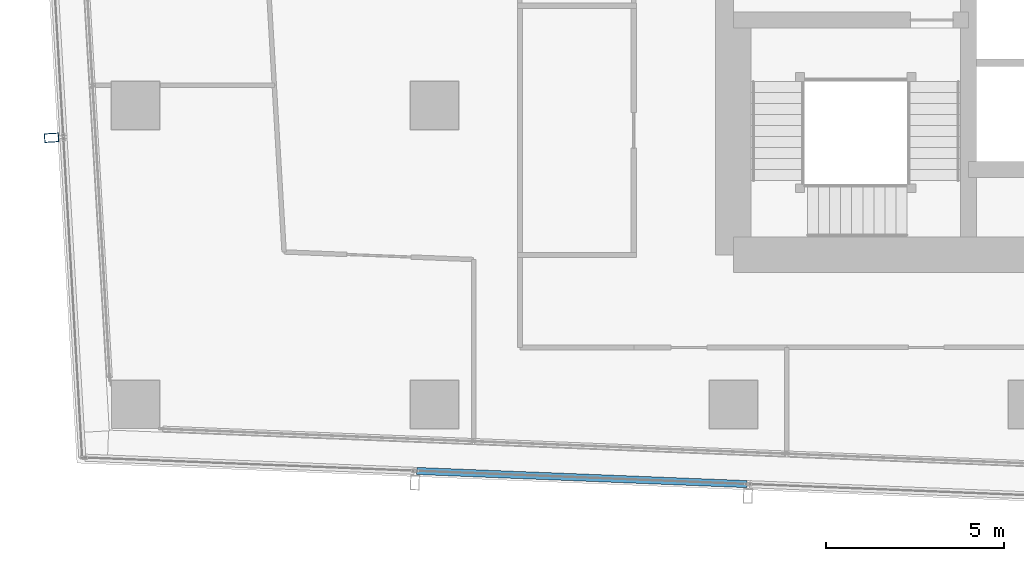
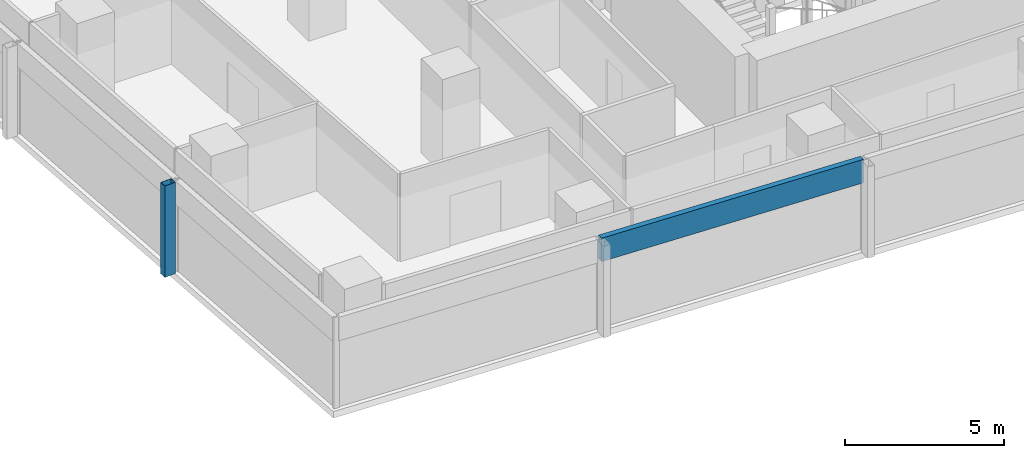
# One storey, part 4 of 38: 2 members, 2 elements without a shape of their own.
"""IFC4 building model written with IfcOpenShell, lengths in metres."""

import ifcopenshell
import ifcopenshell.guid

model = None  # the IFC model being written
_history = None  # IfcOwnerHistory: only IFC2X3 demands one
_inside = {}  # id of a spatial element -> (the spatial element, [elements in it])
_under = {}  # id of a project, library or spatial element -> (it, [spatial elements below it])
_declared = {}  # id of a project -> (the project, [libraries it declares])
_typed = {}  # id of a type object -> (the type object, [elements of that type])
_made_of = {}  # id of a material, layer set ... -> (it, [elements and type objects made of it])


def new_model(schema):
    """Start an empty IFC model of exactly this schema.

    Asked for "IFC4X3", IfcOpenShell would pick the latest addendum, in which some entities
    have other attributes; the version numbers below select the first issue.
    IFC2X3 requires an IfcOwnerHistory on every rooted entity: one is made here for all.
    """
    global model, _history
    if schema == "IFC4X3":
        model = ifcopenshell.file(schema_version=(4, 3, 0, 0))
    else:
        model = ifcopenshell.file(schema=schema)
    _inside.clear()
    _under.clear()
    _declared.clear()
    _typed.clear()
    _made_of.clear()
    _history = None
    if model.schema == "IFC2X3":
        org = make("IfcOrganization", Name="unknown")
        user = make(
            "IfcPersonAndOrganization",
            ThePerson=make("IfcPerson", FamilyName="unknown"),
            TheOrganization=org,
        )
        app = make(
            "IfcApplication",
            ApplicationDeveloper=org,
            Version="unknown",
            ApplicationFullName="unknown",
            ApplicationIdentifier="unknown",
        )
        _history = make(
            "IfcOwnerHistory",
            OwningUser=user,
            OwningApplication=app,
            ChangeAction="ADDED",
            CreationDate=0,
        )
    return model


def make(cls, **values):
    """One entity of the class cls with the attributes given. An attribute that is None is left unset."""
    return model.create_entity(
        cls, **{name: value for name, value in values.items() if value is not None}
    )


def rooted(cls, **values):
    """An entity with a GlobalId (a new one), such as an element, a storey or a relation."""
    return make(cls, GlobalId=ifcopenshell.guid.new(), OwnerHistory=_history, **values)


def si_unit(unit_type, name, prefix=None):
    """IfcSIUnit, for example si_unit("LENGTHUNIT", "METRE", prefix="MILLI")."""
    return make("IfcSIUnit", UnitType=unit_type, Prefix=prefix, Name=name)


def assignment(units):
    """IfcUnitAssignment: the units of a project."""
    return None if units is None else make("IfcUnitAssignment", Units=units)


def point(xyz):
    """IfcCartesianPoint."""
    return None if xyz is None else make("IfcCartesianPoint", Coordinates=xyz)


def direction(xyz):
    """IfcDirection."""
    return None if xyz is None else make("IfcDirection", DirectionRatios=xyz)


def frame(location, z_axis=None, x_axis=None):
    """IfcAxis2Placement3D, a coordinate frame: its origin and axes. An axis left out is left unset."""
    return make(
        "IfcAxis2Placement3D",
        Location=point(location),
        Axis=direction(z_axis),
        RefDirection=direction(x_axis),
    )


def frame_2d(location, x_axis=None):
    """IfcAxis2Placement2D, a coordinate frame in the plane: its origin and x axis."""
    return make(
        "IfcAxis2Placement2D", Location=point(location), RefDirection=direction(x_axis)
    )


def origin():
    """The frame at (0, 0, 0) with its axes left unset."""
    return frame((0.0, 0.0, 0.0))


def origin_2d():
    """The frame at (0, 0) in the plane with its x axis left unset."""
    return frame_2d((0.0, 0.0))


def place(relative_to, where):
    """IfcLocalPlacement: puts the frame where relative to a parent placement (None: the world)."""
    return make(
        "IfcLocalPlacement", PlacementRelTo=relative_to, RelativePlacement=where
    )


def context(
    kind, dimensions, precision=None, world=None, true_north=None, identifier=None
):
    """IfcGeometricRepresentationContext, for example the 3D "Model" context."""
    return make(
        "IfcGeometricRepresentationContext",
        ContextIdentifier=identifier,
        ContextType=kind,
        CoordinateSpaceDimension=dimensions,
        Precision=precision,
        WorldCoordinateSystem=world,
        TrueNorth=true_north,
    )


def subcontext(parent, identifier, kind, view, scale=None):
    """IfcGeometricRepresentationSubContext, for example "Body" below "Model"."""
    return make(
        "IfcGeometricRepresentationSubContext",
        ContextIdentifier=identifier,
        ContextType=kind,
        ParentContext=parent,
        TargetScale=scale,
        TargetView=view,
    )


def project(units=None, contexts=None):
    """IfcProject with its units and contexts."""
    return rooted(
        "IfcProject",
        Name="project",
        RepresentationContexts=contexts,
        UnitsInContext=assignment(units),
    )


def spatial(cls, under=None, at=None, **own):
    """A site, building, storey or space (cls), placed at a placement, below another one or the project."""
    s = rooted(cls, ObjectPlacement=at, **own)
    if under is not None:
        _under.setdefault(under.id(), (under, []))[1].append(s)
    return s


def profile(cls, at=None, kind="AREA", **sizes):
    """A parametric profile (cls). Its sizes go by their IFC names, for example OverallWidth=200.0."""
    return make(cls, ProfileType=kind, Position=at, **sizes)


def hollow_rectangle(**sizes):
    """IfcRectangleHollowProfileDef."""
    return profile("IfcRectangleHollowProfileDef", **sizes)


def extrude(swept, where, along, depth):
    """IfcExtrudedAreaSolid: the profile swept, set in the frame where, extruded along a direction by depth."""
    return make(
        "IfcExtrudedAreaSolid",
        SweptArea=swept,
        Position=where,
        ExtrudedDirection=direction(along),
        Depth=depth,
    )


def shape(context_of_items, identifier, shape_type, items):
    """IfcShapeRepresentation: the items that make up one representation, for example the "Body"."""
    return make(
        "IfcShapeRepresentation",
        ContextOfItems=context_of_items,
        RepresentationIdentifier=identifier,
        RepresentationType=shape_type,
        Items=items,
    )


def material(Name=None, Category=None):
    """IfcMaterial."""
    return make("IfcMaterial", Name=Name, Category=Category)


def material_profile(
    of_material, cross_section, Name=None, Category=None, Priority=None
):
    """IfcMaterialProfile: a cross section and its material."""
    return make(
        "IfcMaterialProfile",
        Name=Name,
        Material=of_material,
        Profile=cross_section,
        Priority=Priority,
        Category=Category,
    )


def profile_set(profiles, Name=None, composite=None):
    """IfcMaterialProfileSet."""
    return make(
        "IfcMaterialProfileSet",
        Name=Name,
        MaterialProfiles=profiles,
        CompositeProfile=composite,
    )


def made_of(thing, what):
    """Note that an element or type object is made of a material, layer set ...; save() writes the relation."""
    if what is not None:
        _made_of.setdefault(what.id(), (what, []))[1].append(thing)
    return thing


def type_object(cls, material=None, **own):
    """A type object (cls), such as IfcWallType, which elements share."""
    return made_of(rooted(cls, **own), material)


def element(
    cls,
    number,
    at=None,
    inside=None,
    cuts=None,
    type_object=None,
    material=None,
    context=None,
    identifier="Body",
    shape_type=None,
    held_by="IfcProductDefinitionShape",
    body=None,
    shapes=None,
    **own,
):
    """One element of the class cls, such as IfcWall. Its Tag is "e" and its number.

    at: its placement. inside: the storey or other place that contains it. cuts: it is an
    opening in that element (IfcRelVoidsElement). A single representation is given by context,
    identifier, shape_type and body (its items); several are given by shapes. held_by: the class
    of the entity that holds the representations. save() writes the other relations.
    """
    e = rooted(cls, Tag="e%d" % number, ObjectPlacement=at, **own)
    if body is not None:
        shapes = [shape(context, identifier, shape_type, body)]
    if shapes is not None:
        e.Representation = make(held_by, Representations=shapes)
    if inside is not None:
        _inside.setdefault(inside.id(), (inside, []))[1].append(e)
    if cuts is not None:
        rooted(
            "IfcRelVoidsElement", RelatingBuildingElement=cuts, RelatedOpeningElement=e
        )
    if type_object is not None:
        _typed.setdefault(type_object.id(), (type_object, []))[1].append(e)
    return made_of(e, material)


def aggregate(whole, parts):
    """IfcRelAggregates: a whole, such as a stair, and the parts it consists of."""
    return rooted("IfcRelAggregates", RelatingObject=whole, RelatedObjects=parts)


def save(model, path):
    """Write the relations noted so far, then the file.

    IfcRelAggregates (storeys below a building ...), IfcRelContainedInSpatialStructure (elements
    in a storey), IfcRelDefinesByType, IfcRelAssociatesMaterial and IfcRelDeclares: one each for
    every whole, place, type object, material and project.
    """
    for whole, parts in _under.values():
        aggregate(whole, parts)
    for where, things in _inside.values():
        rooted(
            "IfcRelContainedInSpatialStructure",
            RelatedElements=things,
            RelatingStructure=where,
        )
    for kind, things in _typed.values():
        rooted("IfcRelDefinesByType", RelatedObjects=things, RelatingType=kind)
    for what, things in _made_of.values():
        rooted("IfcRelAssociatesMaterial", RelatedObjects=things, RelatingMaterial=what)
    for by, libraries in _declared.values():
        rooted("IfcRelDeclares", RelatingContext=by, RelatedDefinitions=libraries)
    model.write(path)


model = new_model("IFC4")

# Units and contexts
model_context = context("Model", 3, precision=1e-05, world=origin(), true_north=direction((0.0, 1.0)))
body_context = subcontext(model_context, "Body", "Model", "MODEL_VIEW")
ifc_project = project(units=[si_unit("LENGTHUNIT", "METRE"), si_unit("AREAUNIT", "SQUARE_METRE"), si_unit("VOLUMEUNIT", "CUBIC_METRE"), si_unit("PLANEANGLEUNIT", "RADIAN"), si_unit("MASSUNIT", "GRAM", prefix="KILO")], contexts=[model_context])

# Site, building, storey
site_placement = place(None, origin())
site = spatial("IfcSite", under=ifc_project, at=site_placement, CompositionType="ELEMENT")
building_placement = place(site_placement, origin())
building = spatial("IfcBuilding", under=site, at=building_placement, Name="Rekha Terrace Tower", CompositionType="ELEMENT")
storey_placement = place(building_placement, frame((0.0, 0.0, 195.199951171875)))
storey = spatial("IfcBuildingStorey", under=building, at=storey_placement, Name="L49", CompositionType="ELEMENT", Elevation=195.199951171875)

# Curtain wall, member
ifc_material_1 = material(Name="Aluminium framing", Category="aluminium")
curtain_wall_type = type_object("IfcCurtainWallType", Name="CW2 double skin outer glazing", PredefinedType="USERDEFINED", material=ifc_material_1)
curtain_wall_1_placement = place(storey_placement, origin())
curtain_wall_1 = element("IfcCurtainWall", 1, at=curtain_wall_1_placement, inside=storey, type_object=curtain_wall_type, Name="CW2 double skin outer glazing", ObjectType="DOUBLE SKIN OUTER GLAZING", PredefinedType="USERDEFINED")
ifc_material_2 = material(Name="Steel S355 with fluorocarbon finish", Category="steel")
ifc_material_profile_1 = material_profile(ifc_material_2, hollow_rectangle(XDim=0.25, YDim=0.39990234375, WallThickness=0.012451171875, at=origin_2d()), Name="RHS400x250x12.5")
ifc_profile_set_1 = profile_set([ifc_material_profile_1], Name="Steel S355 with fluorocarbon finish")
member_type_1 = type_object("IfcMemberType", Name="BL1 facade blade RHS 400 x 250", PredefinedType="USERDEFINED", material=ifc_profile_set_1)
member_1_placement = place(storey_placement, frame((6.03662109375, 24.292236328125, 0.0), z_axis=(0.0, 0.0, 1.0), x_axis=(0.058764522885, -0.998271872212, 0.0)))
member_1 = element("IfcMember", 2, at=member_1_placement, type_object=member_type_1, Name="Facade blade", ObjectType="FACADE BLADE", PredefinedType="USERDEFINED", context=body_context, shape_type="SweptSolid", body=[
    extrude(hollow_rectangle(XDim=0.25, YDim=0.39990234375, WallThickness=0.012451171875, at=origin_2d()), origin(), (0.0, 0.0, 1.0), 3.5),
])
aggregate(curtain_wall_1, [member_1])

curtain_wall_2_placement = place(storey_placement, origin())
curtain_wall_2 = element("IfcCurtainWall", 3, at=curtain_wall_2_placement, inside=storey, type_object=curtain_wall_type, Name="CW2 double skin outer glazing", ObjectType="DOUBLE SKIN OUTER GLAZING", PredefinedType="USERDEFINED")
ifc_material_3 = material(Name="Insulated aluminium spandrel box", Category="aluminium")
ifc_material_profile_2 = material_profile(ifc_material_3, hollow_rectangle(XDim=0.199951171875, YDim=0.89990234375, WallThickness=0.0029296875, at=origin_2d()), Name="AL SPANDREL BOX 200x900")
ifc_profile_set_2 = profile_set([ifc_material_profile_2], Name="Insulated aluminium spandrel box")
member_type_2 = type_object("IfcMemberType", Name="CW2 spandrel transom 200 x 900", PredefinedType="USERDEFINED", material=ifc_profile_set_2)
member_2_placement = place(storey_placement, frame((16.2998046875, 14.928955078125, 3.050048828125), z_axis=(0.999205404308, -0.039856743486, 0.0), x_axis=(0.039856743486, 0.999205404308, 0.0)))
member_2 = element("IfcMember", 4, at=member_2_placement, type_object=member_type_2, Name="CW2 spandrel transom 2", ObjectType="TRANSOM", PredefinedType="USERDEFINED", context=body_context, shape_type="SweptSolid", body=[
    extrude(hollow_rectangle(XDim=0.199951171875, YDim=0.89990234375, WallThickness=0.0029296875, at=origin_2d()), origin(), (0.0, 0.0, 1.0), 9.2861328125),
])
aggregate(curtain_wall_2, [member_2])

save(model, "model.ifc")
